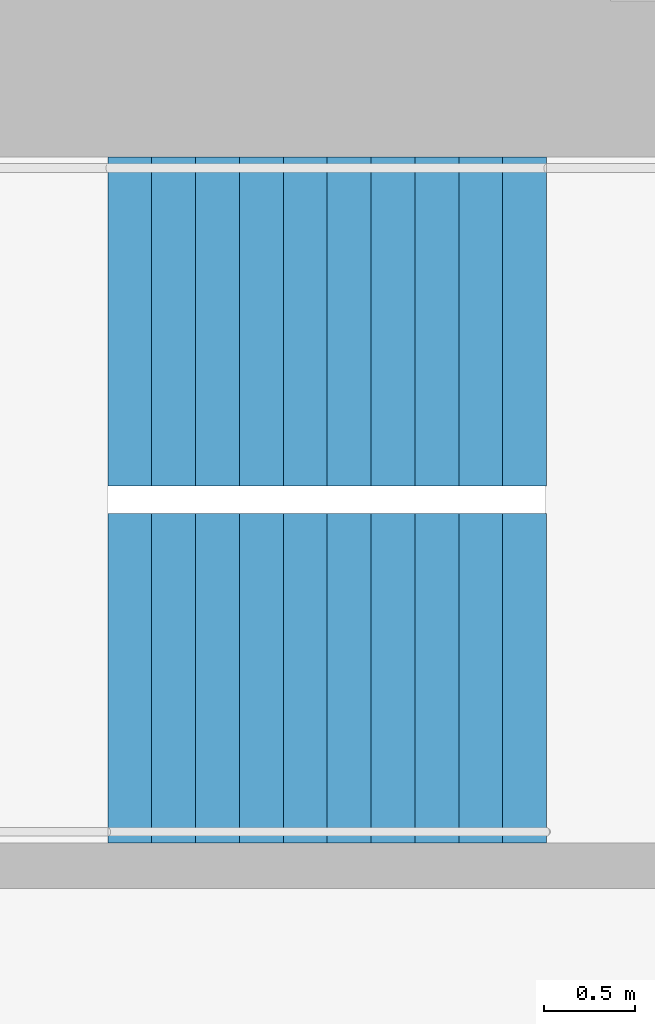
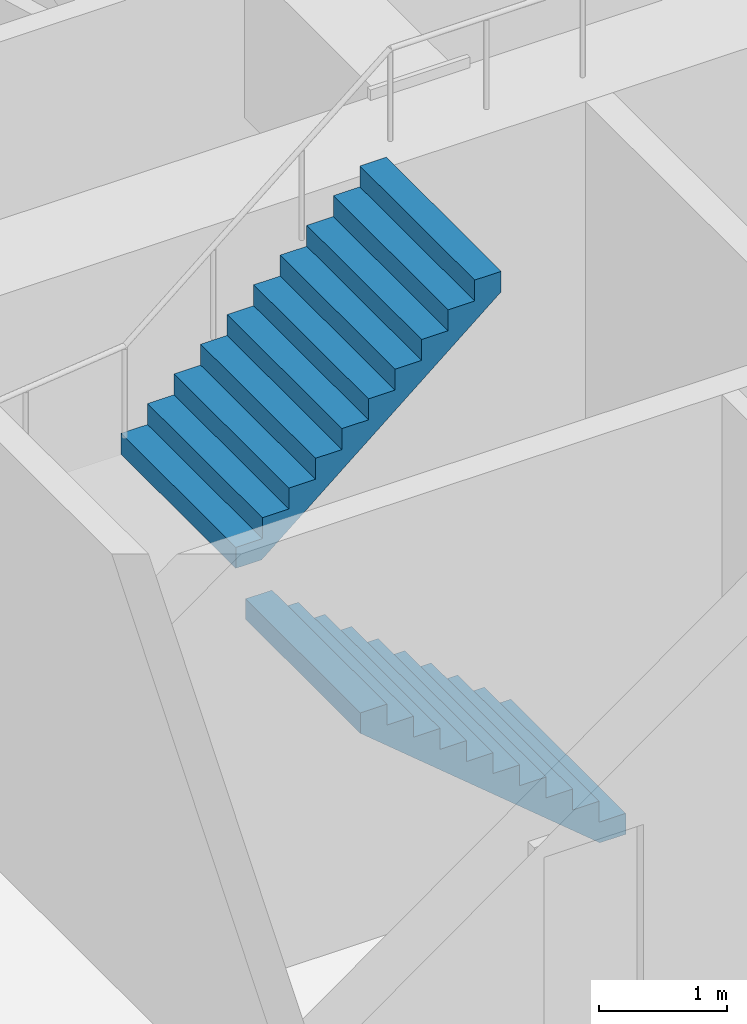
# One storey, part 31 of 33: 2 stair flights, 1 element without a shape of its own.
"""IFC4 building model written with IfcOpenShell, lengths in metres."""

from ifc_helpers import new_model, si_unit, direction, frame, origin, place, context, subcontext, project, spatial, triangles, material, type_object, element, aggregate, save


model = new_model("IFC4")

# Units and contexts
model_context = context("Model", 3, precision=1e-05, world=origin(), true_north=direction((0.0, 1.0)))
body_context = subcontext(model_context, "Body", "Model", "MODEL_VIEW")
ifc_project = project(units=[si_unit("LENGTHUNIT", "METRE"), si_unit("AREAUNIT", "SQUARE_METRE"), si_unit("VOLUMEUNIT", "CUBIC_METRE"), si_unit("PLANEANGLEUNIT", "RADIAN"), si_unit("MASSUNIT", "GRAM", prefix="KILO")], contexts=[model_context])

# Site, building, storey
site_placement = place(None, origin())
site = spatial("IfcSite", under=ifc_project, at=site_placement, CompositionType="ELEMENT")
building_placement = place(site_placement, origin())
building = spatial("IfcBuilding", under=site, at=building_placement, Name="Hakoniwa Tower and Hamabe Station Hall", CompositionType="ELEMENT")
storey_placement = place(building_placement, frame((0.0, 0.0, 175.800048828125)))
storey = spatial("IfcBuildingStorey", under=building, at=storey_placement, Name="L50", CompositionType="ELEMENT", Elevation=175.800048828125)

# Stair, stair flights
ifc_material_1 = material(Name="Concrete C40", Category="concrete")
stair_type = type_object("IfcStairType", Name="ESCAPE STAIR 1800", PredefinedType="HALF_TURN_STAIR", material=ifc_material_1)
stair_placement = place(storey_placement, origin())
stair = element("IfcStair", 1, at=stair_placement, inside=storey, type_object=stair_type, Name="Escape stair ST-3 L50", PredefinedType="HALF_TURN_STAIR")
ifc_material_2 = material(Name="Concrete C40", Category="concrete")
stair_flight_type = type_object("IfcStairFlightType", Name="STAIR FLIGHT 1800", PredefinedType="STRAIGHT", material=ifc_material_2)
stair_flight_1_placement = place(storey_placement, frame((24.39990234375, 4.64990234375, 0.0), z_axis=(0.0, 0.0, 1.0), x_axis=(-1.0, 0.0, 0.0)))
stair_flight_1 = element("IfcStairFlight", 2, at=stair_flight_1_placement, type_object=stair_flight_type, Name="ST-3 flight 1", NumberOfRisers=11, NumberOfTreads=10, PredefinedType="STRAIGHT", RiserHeight=0.2, TreadLength=0.24, context=body_context, shape_type="Tessellation", body=[
    triangles([(0.0, 0.89990234375, 0.0), (0.234130859375, 0.89990234375, 0.0), (0.239990234375, 0.89990234375, 0.0048828125), (0.47998046875, 0.89990234375, 0.204833984375), (0.719970703125, 0.89990234375, 0.40478515625), (0.9599609375, 0.89990234375, 0.60498046875), (1.199951171875, 0.89990234375, 0.804931640625), (1.43994140625, 0.89990234375, 1.0048828125), (1.679931640625, 0.89990234375, 1.204833984375), (1.919921875, 0.89990234375, 1.40478515625), (2.159912109375, 0.89990234375, 1.60498046875), (2.39990234375, 0.89990234375, 1.804931640625), (2.39990234375, 0.89990234375, 2.0), (2.159912109375, 0.89990234375, 2.0), (2.159912109375, 0.89990234375, 1.800048828125), (1.919921875, 0.89990234375, 1.800048828125), (1.919921875, 0.89990234375, 1.60009765625), (1.679931640625, 0.89990234375, 1.60009765625), (1.679931640625, 0.89990234375, 1.39990234375), (1.43994140625, 0.89990234375, 1.39990234375), (1.43994140625, 0.89990234375, 1.199951171875), (1.199951171875, 0.89990234375, 1.199951171875), (1.199951171875, 0.89990234375, 1.0), (0.9599609375, 0.89990234375, 1.0), (0.9599609375, 0.89990234375, 0.800048828125), (0.719970703125, 0.89990234375, 0.800048828125), (0.719970703125, 0.89990234375, 0.60009765625), (0.47998046875, 0.89990234375, 0.60009765625), (0.47998046875, 0.89990234375, 0.39990234375), (0.239990234375, 0.89990234375, 0.39990234375), (0.239990234375, 0.89990234375, 0.199951171875), (0.234130859375, 0.89990234375, 0.199951171875), (0.0, 0.89990234375, 0.199951171875), (0.0, 0.06005859375, 0.0), (0.234130859375, 0.06005859375, 0.0), (0.239990234375, 0.06005859375, 0.0048828125), (0.47998046875, 0.06005859375, 0.204833984375), (0.719970703125, 0.06005859375, 0.40478515625), (0.9599609375, 0.06005859375, 0.60498046875), (1.199951171875, 0.06005859375, 0.804931640625), (1.43994140625, 0.06005859375, 1.0048828125), (1.679931640625, 0.06005859375, 1.204833984375), (1.919921875, 0.06005859375, 1.40478515625), (2.159912109375, 0.06005859375, 1.60498046875), (2.39990234375, 0.06005859375, 1.804931640625), (2.39990234375, 0.06005859375, 2.0), (2.159912109375, 0.06005859375, 2.0), (2.159912109375, 0.06005859375, 1.800048828125), (1.919921875, 0.06005859375, 1.800048828125), (1.919921875, 0.06005859375, 1.60009765625), (1.679931640625, 0.06005859375, 1.60009765625), (1.679931640625, 0.06005859375, 1.39990234375), (1.43994140625, 0.06005859375, 1.39990234375), (1.43994140625, 0.06005859375, 1.199951171875), (1.199951171875, 0.06005859375, 1.199951171875), (1.199951171875, 0.06005859375, 1.0), (0.9599609375, 0.06005859375, 1.0), (0.9599609375, 0.06005859375, 0.800048828125), (0.719970703125, 0.06005859375, 0.800048828125), (0.719970703125, 0.06005859375, 0.60009765625), (0.47998046875, 0.06005859375, 0.60009765625), (0.47998046875, 0.06005859375, 0.39990234375), (0.239990234375, 0.06005859375, 0.39990234375), (0.239990234375, 0.06005859375, 0.199951171875), (0.234130859375, 0.06005859375, 0.199951171875), (0.0, 0.06005859375, 0.199951171875), (0.0, 0.02001953125, 0.0), (0.234130859375, 0.02001953125, 0.0), (0.239990234375, 0.02001953125, 0.0048828125), (0.47998046875, 0.02001953125, 0.204833984375), (0.719970703125, 0.02001953125, 0.40478515625), (0.9599609375, 0.02001953125, 0.60498046875), (1.199951171875, 0.02001953125, 0.804931640625), (1.43994140625, 0.02001953125, 1.0048828125), (1.679931640625, 0.02001953125, 1.204833984375), (1.919921875, 0.02001953125, 1.40478515625), (2.159912109375, 0.02001953125, 1.60498046875), (2.39990234375, 0.02001953125, 1.804931640625), (2.39990234375, 0.02001953125, 2.0), (2.159912109375, 0.02001953125, 2.0), (2.159912109375, 0.02001953125, 1.800048828125), (1.919921875, 0.02001953125, 1.800048828125), (1.919921875, 0.02001953125, 1.60009765625), (1.679931640625, 0.02001953125, 1.60009765625), (1.679931640625, 0.02001953125, 1.39990234375), (1.43994140625, 0.02001953125, 1.39990234375), (1.43994140625, 0.02001953125, 1.199951171875), (1.199951171875, 0.02001953125, 1.199951171875), (1.199951171875, 0.02001953125, 1.0), (0.9599609375, 0.02001953125, 1.0), (0.9599609375, 0.02001953125, 0.800048828125), (0.719970703125, 0.02001953125, 0.800048828125), (0.719970703125, 0.02001953125, 0.60009765625), (0.47998046875, 0.02001953125, 0.60009765625), (0.47998046875, 0.02001953125, 0.39990234375), (0.239990234375, 0.02001953125, 0.39990234375), (0.239990234375, 0.02001953125, 0.199951171875), (0.234130859375, 0.02001953125, 0.199951171875), (0.0, 0.02001953125, 0.199951171875), (0.0, -0.02001953125, 0.0), (0.234130859375, -0.02001953125, 0.0), (0.239990234375, -0.02001953125, 0.0048828125), (0.47998046875, -0.02001953125, 0.204833984375), (0.719970703125, -0.02001953125, 0.40478515625), (0.9599609375, -0.02001953125, 0.60498046875), (1.199951171875, -0.02001953125, 0.804931640625), (1.43994140625, -0.02001953125, 1.0048828125), (1.679931640625, -0.02001953125, 1.204833984375), (1.919921875, -0.02001953125, 1.40478515625), (2.159912109375, -0.02001953125, 1.60498046875), (2.39990234375, -0.02001953125, 1.804931640625), (2.39990234375, -0.02001953125, 2.0), (2.159912109375, -0.02001953125, 2.0), (2.159912109375, -0.02001953125, 1.800048828125), (1.919921875, -0.02001953125, 1.800048828125), (1.919921875, -0.02001953125, 1.60009765625), (1.679931640625, -0.02001953125, 1.60009765625), (1.679931640625, -0.02001953125, 1.39990234375), (1.43994140625, -0.02001953125, 1.39990234375), (1.43994140625, -0.02001953125, 1.199951171875), (1.199951171875, -0.02001953125, 1.199951171875), (1.199951171875, -0.02001953125, 1.0), (0.9599609375, -0.02001953125, 1.0), (0.9599609375, -0.02001953125, 0.800048828125), (0.719970703125, -0.02001953125, 0.800048828125), (0.719970703125, -0.02001953125, 0.60009765625), (0.47998046875, -0.02001953125, 0.60009765625), (0.47998046875, -0.02001953125, 0.39990234375), (0.239990234375, -0.02001953125, 0.39990234375), (0.239990234375, -0.02001953125, 0.199951171875), (0.234130859375, -0.02001953125, 0.199951171875), (0.0, -0.02001953125, 0.199951171875), (0.0, -0.06005859375, 0.0), (0.234130859375, -0.06005859375, 0.0), (0.239990234375, -0.06005859375, 0.0048828125), (0.47998046875, -0.06005859375, 0.204833984375), (0.719970703125, -0.06005859375, 0.40478515625), (0.9599609375, -0.06005859375, 0.60498046875), (1.199951171875, -0.06005859375, 0.804931640625), (1.43994140625, -0.06005859375, 1.0048828125), (1.679931640625, -0.06005859375, 1.204833984375), (1.919921875, -0.06005859375, 1.40478515625), (2.159912109375, -0.06005859375, 1.60498046875), (2.39990234375, -0.06005859375, 1.804931640625), (2.39990234375, -0.06005859375, 2.0), (2.159912109375, -0.06005859375, 2.0), (2.159912109375, -0.06005859375, 1.800048828125), (1.919921875, -0.06005859375, 1.800048828125), (1.919921875, -0.06005859375, 1.60009765625), (1.679931640625, -0.06005859375, 1.60009765625), (1.679931640625, -0.06005859375, 1.39990234375), (1.43994140625, -0.06005859375, 1.39990234375), (1.43994140625, -0.06005859375, 1.199951171875), (1.199951171875, -0.06005859375, 1.199951171875), (1.199951171875, -0.06005859375, 1.0), (0.9599609375, -0.06005859375, 1.0), (0.9599609375, -0.06005859375, 0.800048828125), (0.719970703125, -0.06005859375, 0.800048828125), (0.719970703125, -0.06005859375, 0.60009765625), (0.47998046875, -0.06005859375, 0.60009765625), (0.47998046875, -0.06005859375, 0.39990234375), (0.239990234375, -0.06005859375, 0.39990234375), (0.239990234375, -0.06005859375, 0.199951171875), (0.234130859375, -0.06005859375, 0.199951171875), (0.0, -0.06005859375, 0.199951171875), (0.0, -0.89990234375, 0.0), (0.234130859375, -0.89990234375, 0.0), (0.239990234375, -0.89990234375, 0.0048828125), (0.47998046875, -0.89990234375, 0.204833984375), (0.719970703125, -0.89990234375, 0.40478515625), (0.9599609375, -0.89990234375, 0.60498046875), (1.199951171875, -0.89990234375, 0.804931640625), (1.43994140625, -0.89990234375, 1.0048828125), (1.679931640625, -0.89990234375, 1.204833984375), (1.919921875, -0.89990234375, 1.40478515625), (2.159912109375, -0.89990234375, 1.60498046875), (2.39990234375, -0.89990234375, 1.804931640625), (2.39990234375, -0.89990234375, 2.0), (2.159912109375, -0.89990234375, 2.0), (2.159912109375, -0.89990234375, 1.800048828125), (1.919921875, -0.89990234375, 1.800048828125), (1.919921875, -0.89990234375, 1.60009765625), (1.679931640625, -0.89990234375, 1.60009765625), (1.679931640625, -0.89990234375, 1.39990234375), (1.43994140625, -0.89990234375, 1.39990234375), (1.43994140625, -0.89990234375, 1.199951171875), (1.199951171875, -0.89990234375, 1.199951171875), (1.199951171875, -0.89990234375, 1.0), (0.9599609375, -0.89990234375, 1.0), (0.9599609375, -0.89990234375, 0.800048828125), (0.719970703125, -0.89990234375, 0.800048828125), (0.719970703125, -0.89990234375, 0.60009765625), (0.47998046875, -0.89990234375, 0.60009765625), (0.47998046875, -0.89990234375, 0.39990234375), (0.239990234375, -0.89990234375, 0.39990234375), (0.239990234375, -0.89990234375, 0.199951171875), (0.234130859375, -0.89990234375, 0.199951171875), (0.0, -0.89990234375, 0.199951171875)], [[2, 33, 32], [167, 197, 198], [2, 1, 33], [167, 198, 166], [3, 32, 31], [168, 196, 197], [3, 2, 32], [168, 197, 167], [4, 30, 29], [169, 194, 195], [4, 31, 30], [169, 195, 196], [4, 3, 31], [169, 196, 168], [5, 28, 27], [170, 192, 193], [5, 29, 28], [170, 193, 194], [5, 4, 29], [170, 194, 169], [6, 26, 25], [171, 190, 191], [6, 27, 26], [171, 191, 192], [6, 5, 27], [171, 192, 170], [7, 24, 23], [172, 188, 189], [7, 25, 24], [172, 189, 190], [7, 6, 25], [172, 190, 171], [8, 22, 21], [173, 186, 187], [8, 23, 22], [173, 187, 188], [8, 7, 23], [173, 188, 172], [9, 20, 19], [174, 184, 185], [9, 21, 20], [174, 185, 186], [9, 8, 21], [174, 186, 173], [10, 18, 17], [175, 182, 183], [10, 19, 18], [175, 183, 184], [10, 9, 19], [175, 184, 174], [11, 16, 15], [176, 180, 181], [11, 17, 16], [176, 181, 182], [11, 10, 17], [176, 182, 175], [12, 14, 13], [177, 178, 179], [12, 15, 14], [177, 179, 180], [12, 11, 15], [177, 180, 176], [1, 2, 35], [1, 35, 34], [34, 35, 68], [34, 68, 67], [67, 68, 101], [67, 101, 100], [100, 101, 134], [100, 134, 133], [133, 134, 167], [133, 167, 166], [2, 3, 36], [2, 36, 35], [35, 36, 69], [35, 69, 68], [68, 69, 102], [68, 102, 101], [101, 102, 135], [101, 135, 134], [134, 135, 168], [134, 168, 167], [3, 4, 37], [3, 37, 36], [36, 37, 70], [36, 70, 69], [69, 70, 103], [69, 103, 102], [102, 103, 136], [102, 136, 135], [135, 136, 169], [135, 169, 168], [4, 5, 38], [4, 38, 37], [37, 38, 71], [37, 71, 70], [70, 71, 104], [70, 104, 103], [103, 104, 137], [103, 137, 136], [136, 137, 170], [136, 170, 169], [5, 6, 39], [5, 39, 38], [38, 39, 72], [38, 72, 71], [71, 72, 105], [71, 105, 104], [104, 105, 138], [104, 138, 137], [137, 138, 171], [137, 171, 170], [6, 7, 40], [6, 40, 39], [39, 40, 73], [39, 73, 72], [72, 73, 106], [72, 106, 105], [105, 106, 139], [105, 139, 138], [138, 139, 172], [138, 172, 171], [7, 8, 41], [7, 41, 40], [40, 41, 74], [40, 74, 73], [73, 74, 107], [73, 107, 106], [106, 107, 140], [106, 140, 139], [139, 140, 173], [139, 173, 172], [8, 9, 42], [8, 42, 41], [41, 42, 75], [41, 75, 74], [74, 75, 108], [74, 108, 107], [107, 108, 141], [107, 141, 140], [140, 141, 174], [140, 174, 173], [9, 10, 43], [9, 43, 42], [42, 43, 76], [42, 76, 75], [75, 76, 109], [75, 109, 108], [108, 109, 142], [108, 142, 141], [141, 142, 175], [141, 175, 174], [10, 11, 44], [10, 44, 43], [43, 44, 77], [43, 77, 76], [76, 77, 110], [76, 110, 109], [109, 110, 143], [109, 143, 142], [142, 143, 176], [142, 176, 175], [11, 12, 45], [11, 45, 44], [44, 45, 78], [44, 78, 77], [77, 78, 111], [77, 111, 110], [110, 111, 144], [110, 144, 143], [143, 144, 177], [143, 177, 176], [12, 13, 46], [12, 46, 45], [45, 46, 79], [45, 79, 78], [78, 79, 112], [78, 112, 111], [111, 112, 145], [111, 145, 144], [144, 145, 178], [144, 178, 177], [13, 14, 47], [13, 47, 46], [46, 47, 80], [46, 80, 79], [79, 80, 113], [79, 113, 112], [112, 113, 146], [112, 146, 145], [145, 146, 179], [145, 179, 178], [14, 15, 48], [14, 48, 47], [47, 48, 81], [47, 81, 80], [80, 81, 114], [80, 114, 113], [113, 114, 147], [113, 147, 146], [146, 147, 180], [146, 180, 179], [15, 16, 49], [15, 49, 48], [48, 49, 82], [48, 82, 81], [81, 82, 115], [81, 115, 114], [114, 115, 148], [114, 148, 147], [147, 148, 181], [147, 181, 180], [16, 17, 50], [16, 50, 49], [49, 50, 83], [49, 83, 82], [82, 83, 116], [82, 116, 115], [115, 116, 149], [115, 149, 148], [148, 149, 182], [148, 182, 181], [17, 18, 51], [17, 51, 50], [50, 51, 84], [50, 84, 83], [83, 84, 117], [83, 117, 116], [116, 117, 150], [116, 150, 149], [149, 150, 183], [149, 183, 182], [18, 19, 52], [18, 52, 51], [51, 52, 85], [51, 85, 84], [84, 85, 118], [84, 118, 117], [117, 118, 151], [117, 151, 150], [150, 151, 184], [150, 184, 183], [19, 20, 53], [19, 53, 52], [52, 53, 86], [52, 86, 85], [85, 86, 119], [85, 119, 118], [118, 119, 152], [118, 152, 151], [151, 152, 185], [151, 185, 184], [20, 21, 54], [20, 54, 53], [53, 54, 87], [53, 87, 86], [86, 87, 120], [86, 120, 119], [119, 120, 153], [119, 153, 152], [152, 153, 186], [152, 186, 185], [21, 22, 55], [21, 55, 54], [54, 55, 88], [54, 88, 87], [87, 88, 121], [87, 121, 120], [120, 121, 154], [120, 154, 153], [153, 154, 187], [153, 187, 186], [22, 23, 56], [22, 56, 55], [55, 56, 89], [55, 89, 88], [88, 89, 122], [88, 122, 121], [121, 122, 155], [121, 155, 154], [154, 155, 188], [154, 188, 187], [23, 24, 57], [23, 57, 56], [56, 57, 90], [56, 90, 89], [89, 90, 123], [89, 123, 122], [122, 123, 156], [122, 156, 155], [155, 156, 189], [155, 189, 188], [24, 25, 58], [24, 58, 57], [57, 58, 91], [57, 91, 90], [90, 91, 124], [90, 124, 123], [123, 124, 157], [123, 157, 156], [156, 157, 190], [156, 190, 189], [25, 26, 59], [25, 59, 58], [58, 59, 92], [58, 92, 91], [91, 92, 125], [91, 125, 124], [124, 125, 158], [124, 158, 157], [157, 158, 191], [157, 191, 190], [26, 27, 60], [26, 60, 59], [59, 60, 93], [59, 93, 92], [92, 93, 126], [92, 126, 125], [125, 126, 159], [125, 159, 158], [158, 159, 192], [158, 192, 191], [27, 28, 61], [27, 61, 60], [60, 61, 94], [60, 94, 93], [93, 94, 127], [93, 127, 126], [126, 127, 160], [126, 160, 159], [159, 160, 193], [159, 193, 192], [28, 29, 62], [28, 62, 61], [61, 62, 95], [61, 95, 94], [94, 95, 128], [94, 128, 127], [127, 128, 161], [127, 161, 160], [160, 161, 194], [160, 194, 193], [29, 30, 63], [29, 63, 62], [62, 63, 96], [62, 96, 95], [95, 96, 129], [95, 129, 128], [128, 129, 162], [128, 162, 161], [161, 162, 195], [161, 195, 194], [30, 31, 64], [30, 64, 63], [63, 64, 97], [63, 97, 96], [96, 97, 130], [96, 130, 129], [129, 130, 163], [129, 163, 162], [162, 163, 196], [162, 196, 195], [31, 32, 65], [31, 65, 64], [64, 65, 98], [64, 98, 97], [97, 98, 131], [97, 131, 130], [130, 131, 164], [130, 164, 163], [163, 164, 197], [163, 197, 196], [32, 33, 66], [32, 66, 65], [65, 66, 99], [65, 99, 98], [98, 99, 132], [98, 132, 131], [131, 132, 165], [131, 165, 164], [164, 165, 198], [164, 198, 197], [33, 1, 34], [33, 34, 66], [66, 34, 67], [66, 67, 99], [99, 67, 100], [99, 100, 132], [132, 100, 133], [132, 133, 165], [165, 133, 166], [165, 166, 198]], closed=True),
])
stair_flight_2_placement = place(storey_placement, frame((22.0, 6.60009765625, 2.199951171875), z_axis=(0.0, 0.0, 1.0), x_axis=(1.0, 0.0, 0.0)))
stair_flight_2 = element("IfcStairFlight", 3, at=stair_flight_2_placement, type_object=stair_flight_type, Name="ST-3 flight 2", NumberOfRisers=11, NumberOfTreads=10, PredefinedType="STRAIGHT", RiserHeight=0.2, TreadLength=0.24, context=body_context, shape_type="Tessellation", body=[
    triangles([(0.0, 0.89990234375, 0.0), (0.234130859375, 0.89990234375, 0.0), (0.239990234375, 0.89990234375, 0.0048828125), (0.47998046875, 0.89990234375, 0.204833984375), (0.719970703125, 0.89990234375, 0.40478515625), (0.9599609375, 0.89990234375, 0.60498046875), (1.199951171875, 0.89990234375, 0.804931640625), (1.43994140625, 0.89990234375, 1.0048828125), (1.679931640625, 0.89990234375, 1.204833984375), (1.919921875, 0.89990234375, 1.40478515625), (2.159912109375, 0.89990234375, 1.60498046875), (2.39990234375, 0.89990234375, 1.804931640625), (2.39990234375, 0.89990234375, 2.0), (2.159912109375, 0.89990234375, 2.0), (2.159912109375, 0.89990234375, 1.800048828125), (1.919921875, 0.89990234375, 1.800048828125), (1.919921875, 0.89990234375, 1.60009765625), (1.679931640625, 0.89990234375, 1.60009765625), (1.679931640625, 0.89990234375, 1.39990234375), (1.43994140625, 0.89990234375, 1.39990234375), (1.43994140625, 0.89990234375, 1.199951171875), (1.199951171875, 0.89990234375, 1.199951171875), (1.199951171875, 0.89990234375, 1.0), (0.9599609375, 0.89990234375, 1.0), (0.9599609375, 0.89990234375, 0.800048828125), (0.719970703125, 0.89990234375, 0.800048828125), (0.719970703125, 0.89990234375, 0.60009765625), (0.47998046875, 0.89990234375, 0.60009765625), (0.47998046875, 0.89990234375, 0.39990234375), (0.239990234375, 0.89990234375, 0.39990234375), (0.239990234375, 0.89990234375, 0.199951171875), (0.234130859375, 0.89990234375, 0.199951171875), (0.0, 0.89990234375, 0.199951171875), (0.0, 0.06005859375, 0.0), (0.234130859375, 0.06005859375, 0.0), (0.239990234375, 0.06005859375, 0.0048828125), (0.47998046875, 0.06005859375, 0.204833984375), (0.719970703125, 0.06005859375, 0.40478515625), (0.9599609375, 0.06005859375, 0.60498046875), (1.199951171875, 0.06005859375, 0.804931640625), (1.43994140625, 0.06005859375, 1.0048828125), (1.679931640625, 0.06005859375, 1.204833984375), (1.919921875, 0.06005859375, 1.40478515625), (2.159912109375, 0.06005859375, 1.60498046875), (2.39990234375, 0.06005859375, 1.804931640625), (2.39990234375, 0.06005859375, 2.0), (2.159912109375, 0.06005859375, 2.0), (2.159912109375, 0.06005859375, 1.800048828125), (1.919921875, 0.06005859375, 1.800048828125), (1.919921875, 0.06005859375, 1.60009765625), (1.679931640625, 0.06005859375, 1.60009765625), (1.679931640625, 0.06005859375, 1.39990234375), (1.43994140625, 0.06005859375, 1.39990234375), (1.43994140625, 0.06005859375, 1.199951171875), (1.199951171875, 0.06005859375, 1.199951171875), (1.199951171875, 0.06005859375, 1.0), (0.9599609375, 0.06005859375, 1.0), (0.9599609375, 0.06005859375, 0.800048828125), (0.719970703125, 0.06005859375, 0.800048828125), (0.719970703125, 0.06005859375, 0.60009765625), (0.47998046875, 0.06005859375, 0.60009765625), (0.47998046875, 0.06005859375, 0.39990234375), (0.239990234375, 0.06005859375, 0.39990234375), (0.239990234375, 0.06005859375, 0.199951171875), (0.234130859375, 0.06005859375, 0.199951171875), (0.0, 0.06005859375, 0.199951171875), (0.0, 0.02001953125, 0.0), (0.234130859375, 0.02001953125, 0.0), (0.239990234375, 0.02001953125, 0.0048828125), (0.47998046875, 0.02001953125, 0.204833984375), (0.719970703125, 0.02001953125, 0.40478515625), (0.9599609375, 0.02001953125, 0.60498046875), (1.199951171875, 0.02001953125, 0.804931640625), (1.43994140625, 0.02001953125, 1.0048828125), (1.679931640625, 0.02001953125, 1.204833984375), (1.919921875, 0.02001953125, 1.40478515625), (2.159912109375, 0.02001953125, 1.60498046875), (2.39990234375, 0.02001953125, 1.804931640625), (2.39990234375, 0.02001953125, 2.0), (2.159912109375, 0.02001953125, 2.0), (2.159912109375, 0.02001953125, 1.800048828125), (1.919921875, 0.02001953125, 1.800048828125), (1.919921875, 0.02001953125, 1.60009765625), (1.679931640625, 0.02001953125, 1.60009765625), (1.679931640625, 0.02001953125, 1.39990234375), (1.43994140625, 0.02001953125, 1.39990234375), (1.43994140625, 0.02001953125, 1.199951171875), (1.199951171875, 0.02001953125, 1.199951171875), (1.199951171875, 0.02001953125, 1.0), (0.9599609375, 0.02001953125, 1.0), (0.9599609375, 0.02001953125, 0.800048828125), (0.719970703125, 0.02001953125, 0.800048828125), (0.719970703125, 0.02001953125, 0.60009765625), (0.47998046875, 0.02001953125, 0.60009765625), (0.47998046875, 0.02001953125, 0.39990234375), (0.239990234375, 0.02001953125, 0.39990234375), (0.239990234375, 0.02001953125, 0.199951171875), (0.234130859375, 0.02001953125, 0.199951171875), (0.0, 0.02001953125, 0.199951171875), (0.0, -0.02001953125, 0.0), (0.234130859375, -0.02001953125, 0.0), (0.239990234375, -0.02001953125, 0.0048828125), (0.47998046875, -0.02001953125, 0.204833984375), (0.719970703125, -0.02001953125, 0.40478515625), (0.9599609375, -0.02001953125, 0.60498046875), (1.199951171875, -0.02001953125, 0.804931640625), (1.43994140625, -0.02001953125, 1.0048828125), (1.679931640625, -0.02001953125, 1.204833984375), (1.919921875, -0.02001953125, 1.40478515625), (2.159912109375, -0.02001953125, 1.60498046875), (2.39990234375, -0.02001953125, 1.804931640625), (2.39990234375, -0.02001953125, 2.0), (2.159912109375, -0.02001953125, 2.0), (2.159912109375, -0.02001953125, 1.800048828125), (1.919921875, -0.02001953125, 1.800048828125), (1.919921875, -0.02001953125, 1.60009765625), (1.679931640625, -0.02001953125, 1.60009765625), (1.679931640625, -0.02001953125, 1.39990234375), (1.43994140625, -0.02001953125, 1.39990234375), (1.43994140625, -0.02001953125, 1.199951171875), (1.199951171875, -0.02001953125, 1.199951171875), (1.199951171875, -0.02001953125, 1.0), (0.9599609375, -0.02001953125, 1.0), (0.9599609375, -0.02001953125, 0.800048828125), (0.719970703125, -0.02001953125, 0.800048828125), (0.719970703125, -0.02001953125, 0.60009765625), (0.47998046875, -0.02001953125, 0.60009765625), (0.47998046875, -0.02001953125, 0.39990234375), (0.239990234375, -0.02001953125, 0.39990234375), (0.239990234375, -0.02001953125, 0.199951171875), (0.234130859375, -0.02001953125, 0.199951171875), (0.0, -0.02001953125, 0.199951171875), (0.0, -0.06005859375, 0.0), (0.234130859375, -0.06005859375, 0.0), (0.239990234375, -0.06005859375, 0.0048828125), (0.47998046875, -0.06005859375, 0.204833984375), (0.719970703125, -0.06005859375, 0.40478515625), (0.9599609375, -0.06005859375, 0.60498046875), (1.199951171875, -0.06005859375, 0.804931640625), (1.43994140625, -0.06005859375, 1.0048828125), (1.679931640625, -0.06005859375, 1.204833984375), (1.919921875, -0.06005859375, 1.40478515625), (2.159912109375, -0.06005859375, 1.60498046875), (2.39990234375, -0.06005859375, 1.804931640625), (2.39990234375, -0.06005859375, 2.0), (2.159912109375, -0.06005859375, 2.0), (2.159912109375, -0.06005859375, 1.800048828125), (1.919921875, -0.06005859375, 1.800048828125), (1.919921875, -0.06005859375, 1.60009765625), (1.679931640625, -0.06005859375, 1.60009765625), (1.679931640625, -0.06005859375, 1.39990234375), (1.43994140625, -0.06005859375, 1.39990234375), (1.43994140625, -0.06005859375, 1.199951171875), (1.199951171875, -0.06005859375, 1.199951171875), (1.199951171875, -0.06005859375, 1.0), (0.9599609375, -0.06005859375, 1.0), (0.9599609375, -0.06005859375, 0.800048828125), (0.719970703125, -0.06005859375, 0.800048828125), (0.719970703125, -0.06005859375, 0.60009765625), (0.47998046875, -0.06005859375, 0.60009765625), (0.47998046875, -0.06005859375, 0.39990234375), (0.239990234375, -0.06005859375, 0.39990234375), (0.239990234375, -0.06005859375, 0.199951171875), (0.234130859375, -0.06005859375, 0.199951171875), (0.0, -0.06005859375, 0.199951171875), (0.0, -0.89990234375, 0.0), (0.234130859375, -0.89990234375, 0.0), (0.239990234375, -0.89990234375, 0.0048828125), (0.47998046875, -0.89990234375, 0.204833984375), (0.719970703125, -0.89990234375, 0.40478515625), (0.9599609375, -0.89990234375, 0.60498046875), (1.199951171875, -0.89990234375, 0.804931640625), (1.43994140625, -0.89990234375, 1.0048828125), (1.679931640625, -0.89990234375, 1.204833984375), (1.919921875, -0.89990234375, 1.40478515625), (2.159912109375, -0.89990234375, 1.60498046875), (2.39990234375, -0.89990234375, 1.804931640625), (2.39990234375, -0.89990234375, 2.0), (2.159912109375, -0.89990234375, 2.0), (2.159912109375, -0.89990234375, 1.800048828125), (1.919921875, -0.89990234375, 1.800048828125), (1.919921875, -0.89990234375, 1.60009765625), (1.679931640625, -0.89990234375, 1.60009765625), (1.679931640625, -0.89990234375, 1.39990234375), (1.43994140625, -0.89990234375, 1.39990234375), (1.43994140625, -0.89990234375, 1.199951171875), (1.199951171875, -0.89990234375, 1.199951171875), (1.199951171875, -0.89990234375, 1.0), (0.9599609375, -0.89990234375, 1.0), (0.9599609375, -0.89990234375, 0.800048828125), (0.719970703125, -0.89990234375, 0.800048828125), (0.719970703125, -0.89990234375, 0.60009765625), (0.47998046875, -0.89990234375, 0.60009765625), (0.47998046875, -0.89990234375, 0.39990234375), (0.239990234375, -0.89990234375, 0.39990234375), (0.239990234375, -0.89990234375, 0.199951171875), (0.234130859375, -0.89990234375, 0.199951171875), (0.0, -0.89990234375, 0.199951171875)], [[2, 33, 32], [167, 197, 198], [2, 1, 33], [167, 198, 166], [3, 32, 31], [168, 196, 197], [3, 2, 32], [168, 197, 167], [4, 30, 29], [169, 194, 195], [4, 31, 30], [169, 195, 196], [4, 3, 31], [169, 196, 168], [5, 28, 27], [170, 192, 193], [5, 29, 28], [170, 193, 194], [5, 4, 29], [170, 194, 169], [6, 26, 25], [171, 190, 191], [6, 27, 26], [171, 191, 192], [6, 5, 27], [171, 192, 170], [7, 24, 23], [172, 188, 189], [7, 25, 24], [172, 189, 190], [7, 6, 25], [172, 190, 171], [8, 22, 21], [173, 186, 187], [8, 23, 22], [173, 187, 188], [8, 7, 23], [173, 188, 172], [9, 20, 19], [174, 184, 185], [9, 21, 20], [174, 185, 186], [9, 8, 21], [174, 186, 173], [10, 18, 17], [175, 182, 183], [10, 19, 18], [175, 183, 184], [10, 9, 19], [175, 184, 174], [11, 16, 15], [176, 180, 181], [11, 17, 16], [176, 181, 182], [11, 10, 17], [176, 182, 175], [12, 14, 13], [177, 178, 179], [12, 15, 14], [177, 179, 180], [12, 11, 15], [177, 180, 176], [1, 2, 35], [1, 35, 34], [34, 35, 68], [34, 68, 67], [67, 68, 101], [67, 101, 100], [100, 101, 134], [100, 134, 133], [133, 134, 167], [133, 167, 166], [2, 3, 36], [2, 36, 35], [35, 36, 69], [35, 69, 68], [68, 69, 102], [68, 102, 101], [101, 102, 135], [101, 135, 134], [134, 135, 168], [134, 168, 167], [3, 4, 37], [3, 37, 36], [36, 37, 70], [36, 70, 69], [69, 70, 103], [69, 103, 102], [102, 103, 136], [102, 136, 135], [135, 136, 169], [135, 169, 168], [4, 5, 38], [4, 38, 37], [37, 38, 71], [37, 71, 70], [70, 71, 104], [70, 104, 103], [103, 104, 137], [103, 137, 136], [136, 137, 170], [136, 170, 169], [5, 6, 39], [5, 39, 38], [38, 39, 72], [38, 72, 71], [71, 72, 105], [71, 105, 104], [104, 105, 138], [104, 138, 137], [137, 138, 171], [137, 171, 170], [6, 7, 40], [6, 40, 39], [39, 40, 73], [39, 73, 72], [72, 73, 106], [72, 106, 105], [105, 106, 139], [105, 139, 138], [138, 139, 172], [138, 172, 171], [7, 8, 41], [7, 41, 40], [40, 41, 74], [40, 74, 73], [73, 74, 107], [73, 107, 106], [106, 107, 140], [106, 140, 139], [139, 140, 173], [139, 173, 172], [8, 9, 42], [8, 42, 41], [41, 42, 75], [41, 75, 74], [74, 75, 108], [74, 108, 107], [107, 108, 141], [107, 141, 140], [140, 141, 174], [140, 174, 173], [9, 10, 43], [9, 43, 42], [42, 43, 76], [42, 76, 75], [75, 76, 109], [75, 109, 108], [108, 109, 142], [108, 142, 141], [141, 142, 175], [141, 175, 174], [10, 11, 44], [10, 44, 43], [43, 44, 77], [43, 77, 76], [76, 77, 110], [76, 110, 109], [109, 110, 143], [109, 143, 142], [142, 143, 176], [142, 176, 175], [11, 12, 45], [11, 45, 44], [44, 45, 78], [44, 78, 77], [77, 78, 111], [77, 111, 110], [110, 111, 144], [110, 144, 143], [143, 144, 177], [143, 177, 176], [12, 13, 46], [12, 46, 45], [45, 46, 79], [45, 79, 78], [78, 79, 112], [78, 112, 111], [111, 112, 145], [111, 145, 144], [144, 145, 178], [144, 178, 177], [13, 14, 47], [13, 47, 46], [46, 47, 80], [46, 80, 79], [79, 80, 113], [79, 113, 112], [112, 113, 146], [112, 146, 145], [145, 146, 179], [145, 179, 178], [14, 15, 48], [14, 48, 47], [47, 48, 81], [47, 81, 80], [80, 81, 114], [80, 114, 113], [113, 114, 147], [113, 147, 146], [146, 147, 180], [146, 180, 179], [15, 16, 49], [15, 49, 48], [48, 49, 82], [48, 82, 81], [81, 82, 115], [81, 115, 114], [114, 115, 148], [114, 148, 147], [147, 148, 181], [147, 181, 180], [16, 17, 50], [16, 50, 49], [49, 50, 83], [49, 83, 82], [82, 83, 116], [82, 116, 115], [115, 116, 149], [115, 149, 148], [148, 149, 182], [148, 182, 181], [17, 18, 51], [17, 51, 50], [50, 51, 84], [50, 84, 83], [83, 84, 117], [83, 117, 116], [116, 117, 150], [116, 150, 149], [149, 150, 183], [149, 183, 182], [18, 19, 52], [18, 52, 51], [51, 52, 85], [51, 85, 84], [84, 85, 118], [84, 118, 117], [117, 118, 151], [117, 151, 150], [150, 151, 184], [150, 184, 183], [19, 20, 53], [19, 53, 52], [52, 53, 86], [52, 86, 85], [85, 86, 119], [85, 119, 118], [118, 119, 152], [118, 152, 151], [151, 152, 185], [151, 185, 184], [20, 21, 54], [20, 54, 53], [53, 54, 87], [53, 87, 86], [86, 87, 120], [86, 120, 119], [119, 120, 153], [119, 153, 152], [152, 153, 186], [152, 186, 185], [21, 22, 55], [21, 55, 54], [54, 55, 88], [54, 88, 87], [87, 88, 121], [87, 121, 120], [120, 121, 154], [120, 154, 153], [153, 154, 187], [153, 187, 186], [22, 23, 56], [22, 56, 55], [55, 56, 89], [55, 89, 88], [88, 89, 122], [88, 122, 121], [121, 122, 155], [121, 155, 154], [154, 155, 188], [154, 188, 187], [23, 24, 57], [23, 57, 56], [56, 57, 90], [56, 90, 89], [89, 90, 123], [89, 123, 122], [122, 123, 156], [122, 156, 155], [155, 156, 189], [155, 189, 188], [24, 25, 58], [24, 58, 57], [57, 58, 91], [57, 91, 90], [90, 91, 124], [90, 124, 123], [123, 124, 157], [123, 157, 156], [156, 157, 190], [156, 190, 189], [25, 26, 59], [25, 59, 58], [58, 59, 92], [58, 92, 91], [91, 92, 125], [91, 125, 124], [124, 125, 158], [124, 158, 157], [157, 158, 191], [157, 191, 190], [26, 27, 60], [26, 60, 59], [59, 60, 93], [59, 93, 92], [92, 93, 126], [92, 126, 125], [125, 126, 159], [125, 159, 158], [158, 159, 192], [158, 192, 191], [27, 28, 61], [27, 61, 60], [60, 61, 94], [60, 94, 93], [93, 94, 127], [93, 127, 126], [126, 127, 160], [126, 160, 159], [159, 160, 193], [159, 193, 192], [28, 29, 62], [28, 62, 61], [61, 62, 95], [61, 95, 94], [94, 95, 128], [94, 128, 127], [127, 128, 161], [127, 161, 160], [160, 161, 194], [160, 194, 193], [29, 30, 63], [29, 63, 62], [62, 63, 96], [62, 96, 95], [95, 96, 129], [95, 129, 128], [128, 129, 162], [128, 162, 161], [161, 162, 195], [161, 195, 194], [30, 31, 64], [30, 64, 63], [63, 64, 97], [63, 97, 96], [96, 97, 130], [96, 130, 129], [129, 130, 163], [129, 163, 162], [162, 163, 196], [162, 196, 195], [31, 32, 65], [31, 65, 64], [64, 65, 98], [64, 98, 97], [97, 98, 131], [97, 131, 130], [130, 131, 164], [130, 164, 163], [163, 164, 197], [163, 197, 196], [32, 33, 66], [32, 66, 65], [65, 66, 99], [65, 99, 98], [98, 99, 132], [98, 132, 131], [131, 132, 165], [131, 165, 164], [164, 165, 198], [164, 198, 197], [33, 1, 34], [33, 34, 66], [66, 34, 67], [66, 67, 99], [99, 67, 100], [99, 100, 132], [132, 100, 133], [132, 133, 165], [165, 133, 166], [165, 166, 198]], closed=True),
])
aggregate(stair, [stair_flight_1, stair_flight_2])

save(model, "model.ifc")
